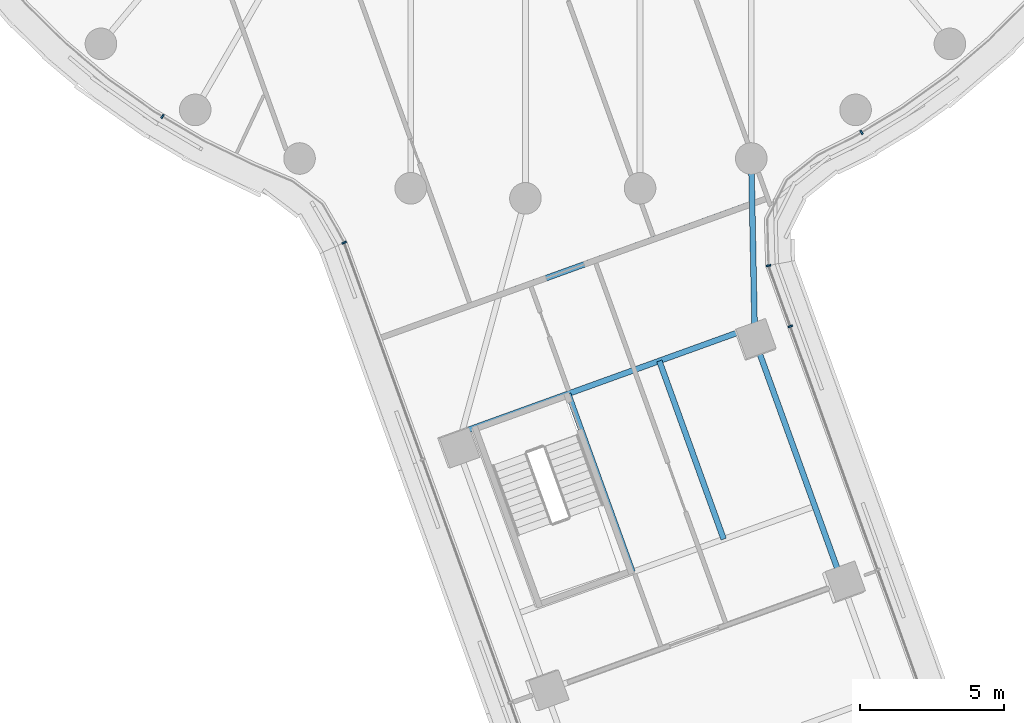
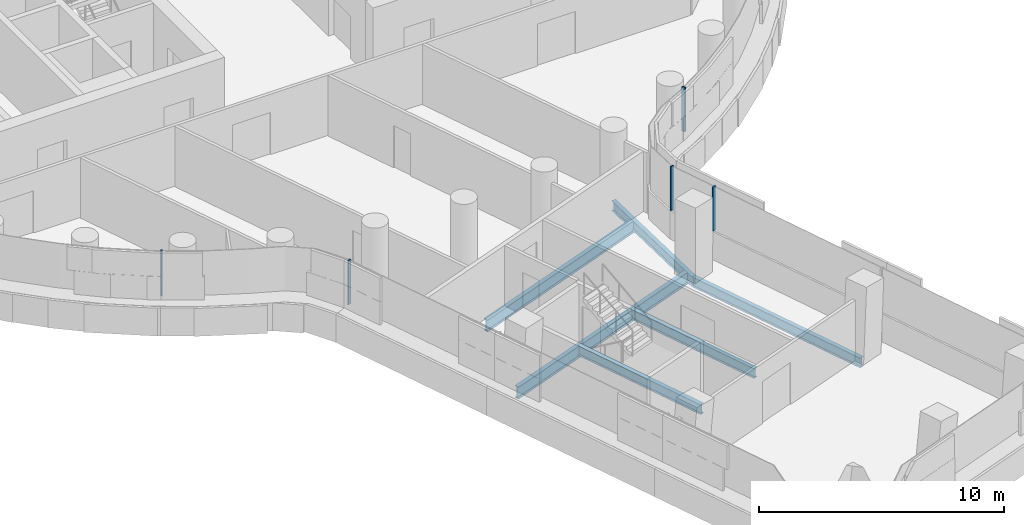
# One storey, part 3 of 30: 6 beams, 5 members, 4 elements without a shape of their own.
"""IFC4 building model written with IfcOpenShell, lengths in metres."""

from ifc_helpers import new_model, si_unit, direction, frame, origin, origin_2d, place, context, subcontext, project, spatial, rectangle, i_section, extrude, material, layer, layer_set, material_profile, profile_set, type_object, element, aggregate, save


model = new_model("IFC4")

# Units and contexts
model_context = context("Model", 3, precision=1e-05, world=origin(), true_north=direction((0.0, 1.0)))
body_context = subcontext(model_context, "Body", "Model", "MODEL_VIEW")
ifc_project = project(units=[si_unit("LENGTHUNIT", "METRE"), si_unit("AREAUNIT", "SQUARE_METRE"), si_unit("VOLUMEUNIT", "CUBIC_METRE"), si_unit("PLANEANGLEUNIT", "RADIAN"), si_unit("MASSUNIT", "GRAM", prefix="KILO")], contexts=[model_context])

# Site, building, storey
site_placement = place(None, origin())
site = spatial("IfcSite", under=ifc_project, at=site_placement, CompositionType="ELEMENT")
building_placement = place(site_placement, origin())
building = spatial("IfcBuilding", under=site, at=building_placement, Name="Tamarind Cross Interchange Tower", CompositionType="ELEMENT")
storey_placement = place(building_placement, frame((0.0, 0.0, 106.0)))
storey = spatial("IfcBuildingStorey", under=building, at=storey_placement, Name="L25", CompositionType="ELEMENT", Elevation=106.0)

# Beams
ifc_material_1 = material(Name="Steel Q355B", Category="steel")
ifc_material_profile_1 = material_profile(ifc_material_1, i_section(OverallWidth=0.198974609375, OverallDepth=0.49609375, WebThickness=0.009033203125, FlangeThickness=0.013916015625, FilletRadius=0.012939453125, at=origin_2d()), Name="HN 496x199x9x14")
ifc_profile_set_1 = profile_set([ifc_material_profile_1], Name="Steel Q355B")
beam_type_1 = type_object("IfcBeamType", Name="Composite beam HN 496x199x9x14 Q355B", PredefinedType="BEAM", material=ifc_profile_set_1)
beam_1_placement = place(storey_placement, frame((11.0478515625, -36.404296875, -0.387939453125), z_axis=(-0.339577135833, 0.940578209837, 0.0), x_axis=(-0.940578209837, -0.339577135833, 0.0)))
element("IfcBeam", 1, at=beam_1_placement, inside=storey, type_object=beam_type_1, Name="Beam S-edgeep3", PredefinedType="BEAM", context=body_context, shape_type="SweptSolid", body=[
    extrude(i_section(OverallWidth=0.198974609375, OverallDepth=0.49609375, WebThickness=0.009033203125, FlangeThickness=0.013916015625, FilletRadius=0.012939453125, at=origin_2d()), origin(), (0.0, 0.0, 1.0), 8.999755859375),
])
beam_2_placement = place(storey_placement, frame((7.99169921875, -27.939208984375, -0.387939453125), z_axis=(-0.019793898343, 0.999804081602, 0.0), x_axis=(-0.999804081602, -0.019793898343, 0.0)))
element("IfcBeam", 2, at=beam_2_placement, inside=storey, type_object=beam_type_1, Name="Beam S-linkep", PredefinedType="BEAM", context=body_context, shape_type="SweptSolid", body=[
    extrude(i_section(OverallWidth=0.198974609375, OverallDepth=0.49609375, WebThickness=0.009033203125, FlangeThickness=0.013916015625, FilletRadius=0.012939453125, at=origin_2d()), origin(), (0.0, 0.0, 1.0), 6.327392578125),
])
for number, where, z_axis, x_axis, name in (
    (3, (1.489990234375, -29.80810546875, -0.387939453125), (0.339579923931, -0.940577203245, 0.0), (0.940577203245, 0.339579923931, 0.0), "Beam S-tr1"),
    (4, (4.664306640625, -28.661865234375, -0.387939453125), (0.339579923931, -0.940577203245, 0.0), (0.940577203245, 0.339579923931, 0.0), "Beam S-stripp"),
):
    element("IfcBeam", number, at=place(storey_placement, frame(where, z_axis=z_axis, x_axis=x_axis)), inside=storey, type_object=beam_type_1, Name=name, PredefinedType="BEAM", context=body_context, shape_type="SweptSolid", body=[
        extrude(i_section(OverallWidth=0.198974609375, OverallDepth=0.49609375, WebThickness=0.009033203125, FlangeThickness=0.013916015625, FilletRadius=0.012939453125, at=origin_2d()), origin(), (0.0, 0.0, 1.0), 6.599853515625),
    ])
ifc_material_profile_2 = material_profile(ifc_material_1, i_section(OverallWidth=0.199951171875, OverallDepth=0.60009765625, WebThickness=0.010986328125, FlangeThickness=0.01708984375, FilletRadius=0.012939453125, at=origin_2d()), Name="HN 600x200x11x17")
ifc_profile_set_2 = profile_set([ifc_material_profile_2], Name="Steel Q355B")
beam_type_2 = type_object("IfcBeamType", Name="Composite beam HN 600x200x11x17 Q355B", PredefinedType="BEAM", material=ifc_profile_set_2)
beam_3_placement = place(storey_placement, frame((-2.210693359375, -31.14404296875, -0.43994140625), z_axis=(0.94057828683, 0.339576922572, 0.0), x_axis=(-0.339576922572, 0.94057828683, 0.0)))
element("IfcBeam", 5, at=beam_3_placement, inside=storey, type_object=beam_type_2, Name="Beam S-x298", PredefinedType="BEAM", context=body_context, shape_type="SweptSolid", body=[
    extrude(i_section(OverallWidth=0.199951171875, OverallDepth=0.60009765625, WebThickness=0.010986328125, FlangeThickness=0.01708984375, FilletRadius=0.012939453125, at=origin_2d()), origin(), (0.0, 0.0, 1.0), 10.8369140625),
])
beam_4_placement = place(storey_placement, frame((-0.914794921875, -26.370361328125, -0.43994140625), z_axis=(0.940576095579, 0.339582991955, 0.0), x_axis=(-0.339582991955, 0.940576095579, 0.0)))
element("IfcBeam", 6, at=beam_4_placement, inside=storey, type_object=beam_type_2, Name="Beam S-x258", PredefinedType="BEAM", context=body_context, shape_type="SweptSolid", body=[
    extrude(i_section(OverallWidth=0.199951171875, OverallDepth=0.60009765625, WebThickness=0.010986328125, FlangeThickness=0.01708984375, FilletRadius=0.012939453125, at=origin_2d()), origin(), (0.0, 0.0, 1.0), 9.369140625),
])

# Curtain wall, member
ifc_material_2 = material(Name="Aluminium 6063-T6", Category="aluminium")
ifc_layer = layer(ifc_material_2, 0.159912109375)
ifc_layer_set = layer_set([ifc_layer], Name="Aluminium 6063-T6")
curtain_wall_type = type_object("IfcCurtainWallType", Name="Office curtain wall, 9.0 m bays", PredefinedType="NOTDEFINED", material=ifc_layer_set)
curtain_wall_1_placement = place(storey_placement, origin())
curtain_wall_1 = element("IfcCurtainWall", 7, at=curtain_wall_1_placement, inside=storey, type_object=curtain_wall_type, Name="CWS-L25-02", PredefinedType="NOTDEFINED")
ifc_material_profile_3 = material_profile(ifc_material_2, rectangle(XDim=0.06005859375, YDim=0.159912109375, at=origin_2d()), Name="Mullion CW1")
ifc_profile_set_3 = profile_set([ifc_material_profile_3], Name="Aluminium 6063-T6")
member_type = type_object("IfcMemberType", Name="Mullion CW1", PredefinedType="MULLION", material=ifc_profile_set_3)
member_1_placement = place(storey_placement, frame((-12.64013671875, -20.1474609375, 1.39990234375), z_axis=(0.0, 0.0, 1.0), x_axis=(0.861248933065, -0.508183308752, 0.0)))
member_1 = element("IfcMember", 8, at=member_1_placement, type_object=member_type, Name="CWM-L25-02-02", PredefinedType="MULLION", context=body_context, shape_type="SweptSolid", body=[
    extrude(rectangle(XDim=0.06005859375, YDim=0.159912109375, at=origin_2d()), origin(), (0.0, 0.0, 1.0), 2.210205078125),
])
aggregate(curtain_wall_1, [member_1])

curtain_wall_2_placement = place(storey_placement, origin())
curtain_wall_2 = element("IfcCurtainWall", 9, at=curtain_wall_2_placement, inside=storey, type_object=curtain_wall_type, Name="CWS-L25-03", PredefinedType="NOTDEFINED")
member_2_placement = place(storey_placement, frame((-6.311767578125, -24.5419921875, 1.39990234375), z_axis=(0.0, 0.0, 1.0), x_axis=(0.412590976797, -0.910916398944, 0.0)))
member_2 = element("IfcMember", 10, at=member_2_placement, type_object=member_type, Name="CWM-L25-03-00", PredefinedType="MULLION", context=body_context, shape_type="SweptSolid", body=[
    extrude(rectangle(XDim=0.06005859375, YDim=0.159912109375, at=origin_2d()), origin(), (0.0, 0.0, 1.0), 2.210205078125),
])
aggregate(curtain_wall_2, [member_2])

curtain_wall_3_placement = place(storey_placement, origin())
curtain_wall_3 = element("IfcCurtainWall", 11, at=curtain_wall_3_placement, inside=storey, type_object=curtain_wall_type, Name="CWS-L25-05", PredefinedType="NOTDEFINED")
member_3_placement = place(storey_placement, frame((9.228271484375, -27.459228515625, 1.39990234375), z_axis=(0.0, 0.0, 1.0), x_axis=(-0.338128919647, 0.941099800074, 0.0)))
member_3 = element("IfcMember", 12, at=member_3_placement, type_object=member_type, Name="CWM-L25-05-02", PredefinedType="MULLION", context=body_context, shape_type="SweptSolid", body=[
    extrude(rectangle(XDim=0.06005859375, YDim=0.159912109375, at=origin_2d()), origin(), (0.0, 0.0, 1.0), 2.210205078125),
])
aggregate(curtain_wall_3, [member_3])

# Curtain wall, members
curtain_wall_4_placement = place(storey_placement, origin())
curtain_wall_4 = element("IfcCurtainWall", 13, at=curtain_wall_4_placement, inside=storey, type_object=curtain_wall_type, Name="CWS-L25-06", PredefinedType="NOTDEFINED")
member_4_placement = place(storey_placement, frame((8.468017578125, -25.34326171875, 1.39990234375), z_axis=(0.0, 0.0, 1.0), x_axis=(-0.185606998467, 0.982624059404, 0.0)))
member_4 = element("IfcMember", 14, at=member_4_placement, type_object=member_type, Name="CWM-L25-06-00", PredefinedType="MULLION", context=body_context, shape_type="SweptSolid", body=[
    extrude(rectangle(XDim=0.06005859375, YDim=0.159912109375, at=origin_2d()), origin(), (0.0, 0.0, 1.0), 2.210205078125),
])
member_5_placement = place(storey_placement, frame((11.706298828125, -20.703857421875, 1.39990234375), z_axis=(0.0, 0.0, 1.0), x_axis=(0.856843065292, 0.515577308909, 0.0)))
member_5 = element("IfcMember", 15, at=member_5_placement, type_object=member_type, Name="CWM-L25-06-01", PredefinedType="MULLION", context=body_context, shape_type="SweptSolid", body=[
    extrude(rectangle(XDim=0.06005859375, YDim=0.159912109375, at=origin_2d()), origin(), (0.0, 0.0, 1.0), 2.210205078125),
])
aggregate(curtain_wall_4, [member_4, member_5])

save(model, "model.ifc")
